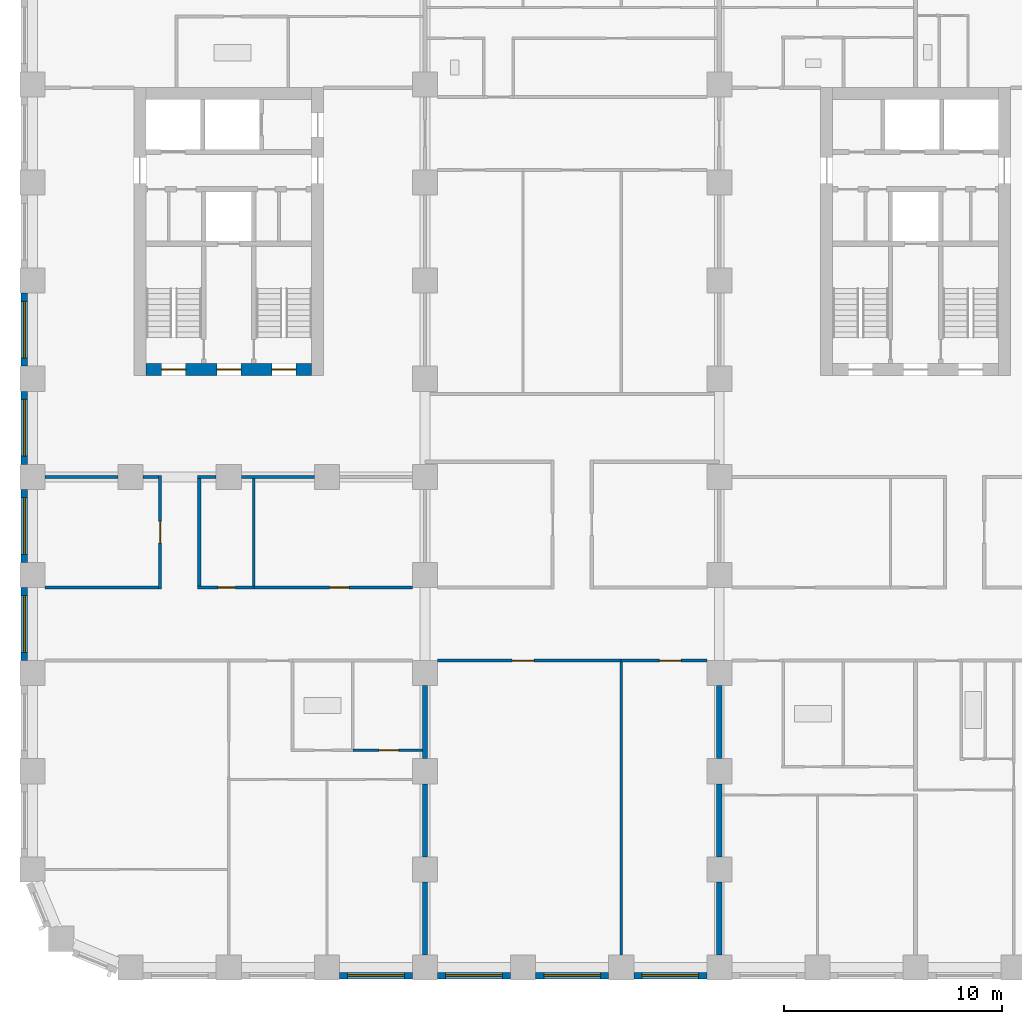
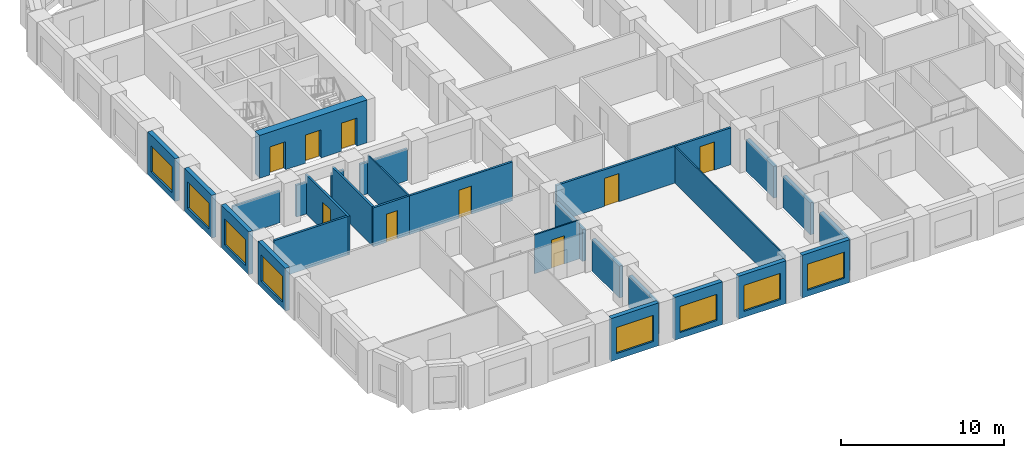
# One storey, part 3 of 13: 29 walls, 9 doors, 8 windows, 17 openings.
"""IFC4 building model written with IfcOpenShell, lengths in metres."""

import ifcopenshell
import ifcopenshell.guid

model = None  # the IFC model being written
_history = None  # IfcOwnerHistory: only IFC2X3 demands one
_inside = {}  # id of a spatial element -> (the spatial element, [elements in it])
_under = {}  # id of a project, library or spatial element -> (it, [spatial elements below it])
_declared = {}  # id of a project -> (the project, [libraries it declares])
_typed = {}  # id of a type object -> (the type object, [elements of that type])
_made_of = {}  # id of a material, layer set ... -> (it, [elements and type objects made of it])


def new_model(schema):
    """Start an empty IFC model of exactly this schema.

    Asked for "IFC4X3", IfcOpenShell would pick the latest addendum, in which some entities
    have other attributes; the version numbers below select the first issue.
    IFC2X3 requires an IfcOwnerHistory on every rooted entity: one is made here for all.
    """
    global model, _history
    if schema == "IFC4X3":
        model = ifcopenshell.file(schema_version=(4, 3, 0, 0))
    else:
        model = ifcopenshell.file(schema=schema)
    _inside.clear()
    _under.clear()
    _declared.clear()
    _typed.clear()
    _made_of.clear()
    _history = None
    if model.schema == "IFC2X3":
        org = make("IfcOrganization", Name="unknown")
        user = make(
            "IfcPersonAndOrganization",
            ThePerson=make("IfcPerson", FamilyName="unknown"),
            TheOrganization=org,
        )
        app = make(
            "IfcApplication",
            ApplicationDeveloper=org,
            Version="unknown",
            ApplicationFullName="unknown",
            ApplicationIdentifier="unknown",
        )
        _history = make(
            "IfcOwnerHistory",
            OwningUser=user,
            OwningApplication=app,
            ChangeAction="ADDED",
            CreationDate=0,
        )
    return model


def make(cls, **values):
    """One entity of the class cls with the attributes given. An attribute that is None is left unset."""
    return model.create_entity(
        cls, **{name: value for name, value in values.items() if value is not None}
    )


def rooted(cls, **values):
    """An entity with a GlobalId (a new one), such as an element, a storey or a relation."""
    return make(cls, GlobalId=ifcopenshell.guid.new(), OwnerHistory=_history, **values)


def si_unit(unit_type, name, prefix=None):
    """IfcSIUnit, for example si_unit("LENGTHUNIT", "METRE", prefix="MILLI")."""
    return make("IfcSIUnit", UnitType=unit_type, Prefix=prefix, Name=name)


def assignment(units):
    """IfcUnitAssignment: the units of a project."""
    return None if units is None else make("IfcUnitAssignment", Units=units)


def point(xyz):
    """IfcCartesianPoint."""
    return None if xyz is None else make("IfcCartesianPoint", Coordinates=xyz)


def direction(xyz):
    """IfcDirection."""
    return None if xyz is None else make("IfcDirection", DirectionRatios=xyz)


def frame(location, z_axis=None, x_axis=None):
    """IfcAxis2Placement3D, a coordinate frame: its origin and axes. An axis left out is left unset."""
    return make(
        "IfcAxis2Placement3D",
        Location=point(location),
        Axis=direction(z_axis),
        RefDirection=direction(x_axis),
    )


def frame_2d(location, x_axis=None):
    """IfcAxis2Placement2D, a coordinate frame in the plane: its origin and x axis."""
    return make(
        "IfcAxis2Placement2D", Location=point(location), RefDirection=direction(x_axis)
    )


def origin():
    """The frame at (0, 0, 0) with its axes left unset."""
    return frame((0.0, 0.0, 0.0))


def place(relative_to, where):
    """IfcLocalPlacement: puts the frame where relative to a parent placement (None: the world)."""
    return make(
        "IfcLocalPlacement", PlacementRelTo=relative_to, RelativePlacement=where
    )


def context(
    kind, dimensions, precision=None, world=None, true_north=None, identifier=None
):
    """IfcGeometricRepresentationContext, for example the 3D "Model" context."""
    return make(
        "IfcGeometricRepresentationContext",
        ContextIdentifier=identifier,
        ContextType=kind,
        CoordinateSpaceDimension=dimensions,
        Precision=precision,
        WorldCoordinateSystem=world,
        TrueNorth=true_north,
    )


def subcontext(parent, identifier, kind, view, scale=None):
    """IfcGeometricRepresentationSubContext, for example "Body" below "Model"."""
    return make(
        "IfcGeometricRepresentationSubContext",
        ContextIdentifier=identifier,
        ContextType=kind,
        ParentContext=parent,
        TargetScale=scale,
        TargetView=view,
    )


def project(units=None, contexts=None):
    """IfcProject with its units and contexts."""
    return rooted(
        "IfcProject",
        Name="project",
        RepresentationContexts=contexts,
        UnitsInContext=assignment(units),
    )


def spatial(cls, under=None, at=None, **own):
    """A site, building, storey or space (cls), placed at a placement, below another one or the project."""
    s = rooted(cls, ObjectPlacement=at, **own)
    if under is not None:
        _under.setdefault(under.id(), (under, []))[1].append(s)
    return s


def profile(cls, at=None, kind="AREA", **sizes):
    """A parametric profile (cls). Its sizes go by their IFC names, for example OverallWidth=200.0."""
    return make(cls, ProfileType=kind, Position=at, **sizes)


def rectangle(**sizes):
    """IfcRectangleProfileDef."""
    return profile("IfcRectangleProfileDef", **sizes)


def extrude(swept, where, along, depth):
    """IfcExtrudedAreaSolid: the profile swept, set in the frame where, extruded along a direction by depth."""
    return make(
        "IfcExtrudedAreaSolid",
        SweptArea=swept,
        Position=where,
        ExtrudedDirection=direction(along),
        Depth=depth,
    )


def shape(context_of_items, identifier, shape_type, items):
    """IfcShapeRepresentation: the items that make up one representation, for example the "Body"."""
    return make(
        "IfcShapeRepresentation",
        ContextOfItems=context_of_items,
        RepresentationIdentifier=identifier,
        RepresentationType=shape_type,
        Items=items,
    )


def material(Name=None, Category=None):
    """IfcMaterial."""
    return make("IfcMaterial", Name=Name, Category=Category)


def layer(
    of_material, thickness, ventilated=None, Name=None, Category=None, Priority=None
):
    """IfcMaterialLayer: one layer of a wall or slab, of a material (None: an air gap)."""
    return make(
        "IfcMaterialLayer",
        Material=of_material,
        LayerThickness=thickness,
        IsVentilated=ventilated,
        Name=Name,
        Category=Category,
        Priority=Priority,
    )


def layer_set(layers, Name=None):
    """IfcMaterialLayerSet."""
    return make("IfcMaterialLayerSet", MaterialLayers=layers, LayerSetName=Name)


def made_of(thing, what):
    """Note that an element or type object is made of a material, layer set ...; save() writes the relation."""
    if what is not None:
        _made_of.setdefault(what.id(), (what, []))[1].append(thing)
    return thing


def type_object(cls, material=None, **own):
    """A type object (cls), such as IfcWallType, which elements share."""
    return made_of(rooted(cls, **own), material)


def element(
    cls,
    number,
    at=None,
    inside=None,
    cuts=None,
    type_object=None,
    material=None,
    context=None,
    identifier="Body",
    shape_type=None,
    held_by="IfcProductDefinitionShape",
    body=None,
    shapes=None,
    **own,
):
    """One element of the class cls, such as IfcWall. Its Tag is "e" and its number.

    at: its placement. inside: the storey or other place that contains it. cuts: it is an
    opening in that element (IfcRelVoidsElement). A single representation is given by context,
    identifier, shape_type and body (its items); several are given by shapes. held_by: the class
    of the entity that holds the representations. save() writes the other relations.
    """
    e = rooted(cls, Tag="e%d" % number, ObjectPlacement=at, **own)
    if body is not None:
        shapes = [shape(context, identifier, shape_type, body)]
    if shapes is not None:
        e.Representation = make(held_by, Representations=shapes)
    if inside is not None:
        _inside.setdefault(inside.id(), (inside, []))[1].append(e)
    if cuts is not None:
        rooted(
            "IfcRelVoidsElement", RelatingBuildingElement=cuts, RelatedOpeningElement=e
        )
    if type_object is not None:
        _typed.setdefault(type_object.id(), (type_object, []))[1].append(e)
    return made_of(e, material)


def fill(opening, filler):
    """IfcRelFillsElement: the door or window that sits in an opening."""
    return rooted(
        "IfcRelFillsElement",
        RelatingOpeningElement=opening,
        RelatedBuildingElement=filler,
    )


def aggregate(whole, parts):
    """IfcRelAggregates: a whole, such as a stair, and the parts it consists of."""
    return rooted("IfcRelAggregates", RelatingObject=whole, RelatedObjects=parts)


def save(model, path):
    """Write the relations noted so far, then the file.

    IfcRelAggregates (storeys below a building ...), IfcRelContainedInSpatialStructure (elements
    in a storey), IfcRelDefinesByType, IfcRelAssociatesMaterial and IfcRelDeclares: one each for
    every whole, place, type object, material and project.
    """
    for whole, parts in _under.values():
        aggregate(whole, parts)
    for where, things in _inside.values():
        rooted(
            "IfcRelContainedInSpatialStructure",
            RelatedElements=things,
            RelatingStructure=where,
        )
    for kind, things in _typed.values():
        rooted("IfcRelDefinesByType", RelatedObjects=things, RelatingType=kind)
    for what, things in _made_of.values():
        rooted("IfcRelAssociatesMaterial", RelatedObjects=things, RelatingMaterial=what)
    for by, libraries in _declared.values():
        rooted("IfcRelDeclares", RelatingContext=by, RelatedDefinitions=libraries)
    model.write(path)


model = new_model("IFC4")

# Units and contexts
model_context = context("Model", 3, precision=1e-05, world=origin(), true_north=direction((0.0, 1.0)))
body_context = subcontext(model_context, "Body", "Model", "MODEL_VIEW")
ifc_project = project(units=[si_unit("LENGTHUNIT", "METRE"), si_unit("AREAUNIT", "SQUARE_METRE"), si_unit("VOLUMEUNIT", "CUBIC_METRE"), si_unit("PLANEANGLEUNIT", "RADIAN"), si_unit("MASSUNIT", "GRAM", prefix="KILO")], contexts=[model_context])

# Site, building, storey
site_placement = place(None, origin())
site = spatial("IfcSite", under=ifc_project, at=site_placement, CompositionType="ELEMENT")
building_placement = place(site_placement, origin())
building = spatial("IfcBuilding", under=site, at=building_placement, Name="Girih Gate Residences", CompositionType="ELEMENT")
storey_placement = place(building_placement, frame((0.0, 0.0, 96.0)))
storey = spatial("IfcBuildingStorey", under=building, at=storey_placement, Name="L26", CompositionType="ELEMENT", Elevation=96.0)

# Walls
ifc_material_1 = material(Name="Gypsum board on steel studs", Category="steel")
ifc_layer_1 = layer(ifc_material_1, 0.25)
ifc_layer_set_1 = layer_set([ifc_layer_1], Name="Acoustic separating wall 250 mm")
wall_type_1 = type_object("IfcWallType", Name="Acoustic separating wall 250 mm", PredefinedType="PARTITIONING", material=ifc_layer_set_1)
for number, where, z_axis, x_axis, name in (
    (1, (18.0, 5.074951171875, 0.0), (0.0, 0.0, 1.0), (0.0, 1.0, 0.0), "L26 partition"),
    (2, (18.0, 0.574951171875, 0.0), (0.0, 0.0, 1.0), (0.0, 1.0, 0.0), "L26 partition"),
    (3, (18.0, 9.574951171875, 0.0), (0.0, 0.0, 1.0), (0.0, 1.0, 0.0), "L26 partition"),
    (4, (31.5, 9.574951171875, 0.0), (0.0, 0.0, 1.0), (0.0, 1.0, 0.0), "L26 partition"),
    (5, (31.5, 0.574951171875, 0.0), (0.0, 0.0, 1.0), (0.0, 1.0, 0.0), "L26 partition"),
    (6, (31.5, 5.074951171875, 0.0), (0.0, 0.0, 1.0), (0.0, 1.0, 0.0), "L26 partition"),
):
    element("IfcWall", number, at=place(storey_placement, frame(where, z_axis=z_axis, x_axis=x_axis)), inside=storey, type_object=wall_type_1, Name=name, PredefinedType="PARTITIONING", context=body_context, shape_type="SweptSolid", body=[
        extrude(rectangle(XDim=3.35009765625, YDim=0.25, at=frame_2d((1.675048828125, 0.0))), origin(), (0.0, 0.0, 1.0), 2.3798828125),
    ])

# Wall, opening, door
ifc_layer_2 = layer(ifc_material_1, 0.14990234375)
ifc_layer_set_2 = layer_set([ifc_layer_2], Name="Compartment wall 150 mm")
wall_type_2 = type_object("IfcWallType", Name="Compartment wall 150 mm", PredefinedType="PARTITIONING", material=ifc_layer_set_2)
wall_1_placement = place(storey_placement, frame((27.0, 14.074951171875, 0.0), z_axis=(0.0, 0.0, 1.0), x_axis=(-1.0, 0.0, 0.0)))
wall_1 = element("IfcWall", 7, at=wall_1_placement, inside=storey, type_object=wall_type_2, Name="L26 partition", PredefinedType="PARTITIONING", context=body_context, shape_type="SweptSolid", body=[
    extrude(rectangle(XDim=8.425048828125, YDim=0.14990234375, at=frame_2d((4.21240234375, 0.0))), origin(), (0.0, 0.0, 1.0), 2.75),
])
opening_1_placement = place(wall_1_placement, frame((4.0, 0.0, 0.0)))
opening_1 = element("IfcOpeningElement", 8, at=opening_1_placement, cuts=wall_1, Name="Opening A26-046", PredefinedType="OPENING", context=body_context, shape_type="SweptSolid", body=[
    extrude(rectangle(XDim=1.0, YDim=2.10009765625, at=frame_2d((0.5, 1.050048828125))), frame((0.0, 0.0849609375, 0.0), z_axis=(0.0, -1.0, 0.0), x_axis=(1.0, 0.0, 0.0)), (0.0, 0.0, 1.0), 0.169921875),
])
ifc_material_2 = material(Name="Timber, fire-rated core", Category="wood")
door_type_1 = type_object("IfcDoorType", Name="Amenity room door 1000x2100 FD30S", OperationType="NOTDEFINED", PredefinedType="DOOR", material=ifc_material_2)
door_1_placement = place(opening_1_placement, origin())
door_1 = element("IfcDoor", 9, at=door_1_placement, inside=storey, type_object=door_type_1, Name="Door A26-046", OperationType="SINGLE_SWING_RIGHT", OverallHeight=2.10009765625, OverallWidth=1.0, PredefinedType="DOOR", context=body_context, shape_type="SweptSolid", body=[
    extrude(rectangle(XDim=1.0, YDim=2.10009765625, at=frame_2d((0.5, 1.050048828125))), frame((0.0, 0.02490234375, 0.0), z_axis=(0.0, -1.0, 0.0), x_axis=(1.0, 0.0, 0.0)), (0.0, 0.0, 1.0), 0.050048828125),
])
fill(opening_1, door_1)

wall_2_placement = place(storey_placement, frame((30.925048828125, 14.074951171875, 0.0), z_axis=(0.0, 0.0, 1.0), x_axis=(-1.0, 0.0, 0.0)))
wall_2 = element("IfcWall", 10, at=wall_2_placement, inside=storey, type_object=wall_type_2, Name="L26 partition", PredefinedType="PARTITIONING", context=body_context, shape_type="SweptSolid", body=[
    extrude(rectangle(XDim=3.925048828125, YDim=0.14990234375, at=frame_2d((1.96240234375, 0.0))), origin(), (0.0, 0.0, 1.0), 2.75),
])
opening_2_placement = place(wall_2_placement, frame((1.175048828125, 0.0, 0.0)))
opening_2 = element("IfcOpeningElement", 11, at=opening_2_placement, cuts=wall_2, Name="Opening A26-047", PredefinedType="OPENING", context=body_context, shape_type="SweptSolid", body=[
    extrude(rectangle(XDim=1.0, YDim=2.10009765625, at=frame_2d((0.5, 1.050048828125))), frame((0.0, 0.0849609375, 0.0), z_axis=(0.0, -1.0, 0.0), x_axis=(1.0, 0.0, 0.0)), (0.0, 0.0, 1.0), 0.169921875),
])
door_2_placement = place(opening_2_placement, origin())
door_2 = element("IfcDoor", 12, at=door_2_placement, inside=storey, type_object=door_type_1, Name="Door A26-047", OperationType="SINGLE_SWING_LEFT", OverallHeight=2.10009765625, OverallWidth=1.0, PredefinedType="DOOR", context=body_context, shape_type="SweptSolid", body=[
    extrude(rectangle(XDim=1.0, YDim=2.10009765625, at=frame_2d((0.5, 1.050048828125))), frame((0.0, 0.02490234375, 0.0), z_axis=(0.0, -1.0, 0.0), x_axis=(1.0, 0.0, 0.0)), (0.0, 0.0, 1.0), 0.050048828125),
])
fill(opening_2, door_2)

wall_3_placement = place(storey_placement, frame((10.14990234375, 17.425048828125, 0.0), z_axis=(0.0, 0.0, 1.0), x_axis=(1.0, 0.0, 0.0)))
wall_3 = element("IfcWall", 13, at=wall_3_placement, inside=storey, type_object=wall_type_2, Name="L26 partition", PredefinedType="PARTITIONING", context=body_context, shape_type="SweptSolid", body=[
    extrude(rectangle(XDim=7.275146484375, YDim=0.14990234375, at=frame_2d((3.6376953125, 0.0))), origin(), (0.0, 0.0, 1.0), 2.89990234375),
])
opening_3_placement = place(wall_3_placement, frame((3.47509765625, 0.0, 0.0)))
opening_3 = element("IfcOpeningElement", 14, at=opening_3_placement, cuts=wall_3, Name="Opening A26-051", PredefinedType="OPENING", context=body_context, shape_type="SweptSolid", body=[
    extrude(rectangle(XDim=0.89990234375, YDim=2.10009765625, at=frame_2d((0.449951171875, 1.050048828125))), frame((0.0, 0.0849609375, 0.0), z_axis=(0.0, -1.0, 0.0), x_axis=(1.0, 0.0, 0.0)), (0.0, 0.0, 1.0), 0.169921875),
])
ifc_material_3 = material(Name="Timber", Category="wood")
door_type_2 = type_object("IfcDoorType", Name="Service room door 900x2100", OperationType="NOTDEFINED", PredefinedType="DOOR", material=ifc_material_3)
door_3_placement = place(opening_3_placement, origin())
door_3 = element("IfcDoor", 15, at=door_3_placement, inside=storey, type_object=door_type_2, Name="Door A26-051", OperationType="SINGLE_SWING_RIGHT", OverallHeight=2.10009765625, OverallWidth=0.89990234375, PredefinedType="DOOR", context=body_context, shape_type="SweptSolid", body=[
    extrude(rectangle(XDim=0.89990234375, YDim=2.10009765625, at=frame_2d((0.449951171875, 1.050048828125))), frame((0.0, 0.02490234375, 0.0), z_axis=(0.0, -1.0, 0.0), x_axis=(1.0, 0.0, 0.0)), (0.0, 0.0, 1.0), 0.050048828125),
])
fill(opening_3, door_3)

wall_4_placement = place(storey_placement, frame((7.574951171875, 17.425048828125, 0.0), z_axis=(0.0, 0.0, 1.0), x_axis=(1.0, 0.0, 0.0)))
wall_4 = element("IfcWall", 16, at=wall_4_placement, inside=storey, type_object=wall_type_2, Name="L26 partition", PredefinedType="PARTITIONING", context=body_context, shape_type="SweptSolid", body=[
    extrude(rectangle(XDim=2.574951171875, YDim=0.14990234375, at=frame_2d((1.28759765625, 0.0))), origin(), (0.0, 0.0, 1.0), 2.89990234375),
])
opening_4_placement = place(wall_4_placement, frame((0.925048828125, 0.0, 0.0)))
opening_4 = element("IfcOpeningElement", 17, at=opening_4_placement, cuts=wall_4, Name="Opening A26-053", PredefinedType="OPENING", context=body_context, shape_type="SweptSolid", body=[
    extrude(rectangle(XDim=0.800048828125, YDim=2.10009765625, at=frame_2d((0.39990234375, 1.050048828125))), frame((0.0, 0.0849609375, 0.0), z_axis=(0.0, -1.0, 0.0), x_axis=(1.0, 0.0, 0.0)), (0.0, 0.0, 1.0), 0.169921875),
])
door_type_3 = type_object("IfcDoorType", Name="Bathroom door 800x2100", OperationType="NOTDEFINED", PredefinedType="DOOR", material=ifc_material_3)
door_4_placement = place(opening_4_placement, origin())
door_4 = element("IfcDoor", 18, at=door_4_placement, inside=storey, type_object=door_type_3, Name="Door A26-053", OperationType="SINGLE_SWING_RIGHT", OverallHeight=2.10009765625, OverallWidth=0.800048828125, PredefinedType="DOOR", context=body_context, shape_type="SweptSolid", body=[
    extrude(rectangle(XDim=0.800048828125, YDim=2.10009765625, at=frame_2d((0.39990234375, 1.050048828125))), frame((0.0, 0.02490234375, 0.0), z_axis=(0.0, -1.0, 0.0), x_axis=(1.0, 0.0, 0.0)), (0.0, 0.0, 1.0), 0.050048828125),
])
fill(opening_4, door_4)

# Walls
wall_5_placement = place(storey_placement, frame((0.574951171875, 17.425048828125, 0.0), z_axis=(0.0, 0.0, 1.0), x_axis=(1.0, 0.0, 0.0)))
element("IfcWall", 19, at=wall_5_placement, inside=storey, type_object=wall_type_2, Name="L26 partition", PredefinedType="PARTITIONING", context=body_context, shape_type="SweptSolid", body=[
    extrude(rectangle(XDim=5.199951171875, YDim=0.14990234375, at=frame_2d((2.60009765625, 0.0))), origin(), (0.0, 0.0, 1.0), 2.89990234375),
])
wall_6_placement = place(storey_placement, frame((9.574951171875, 22.5, 0.0), z_axis=(0.0, 0.0, 1.0), x_axis=(1.0, 0.0, 0.0)))
element("IfcWall", 20, at=wall_6_placement, inside=storey, type_object=wall_type_2, Name="L26 partition", PredefinedType="PARTITIONING", context=body_context, shape_type="SweptSolid", body=[
    extrude(rectangle(XDim=3.35009765625, YDim=0.14990234375, at=frame_2d((1.675048828125, 0.0))), origin(), (0.0, 0.0, 1.0), 2.3798828125),
])
wall_7_placement = place(storey_placement, frame((7.574951171875, 22.5, 0.0), z_axis=(0.0, 0.0, 1.0), x_axis=(1.0, 0.0, 0.0)))
element("IfcWall", 21, at=wall_7_placement, inside=storey, type_object=wall_type_2, Name="L26 partition", PredefinedType="PARTITIONING", context=body_context, shape_type="SweptSolid", body=[
    extrude(rectangle(XDim=0.85009765625, YDim=0.14990234375, at=frame_2d((0.425048828125, 0.0))), origin(), (0.0, 0.0, 1.0), 2.3798828125),
])
wall_8_placement = place(storey_placement, frame((5.074951171875, 22.5, 0.0), z_axis=(0.0, 0.0, 1.0), x_axis=(1.0, 0.0, 0.0)))
element("IfcWall", 22, at=wall_8_placement, inside=storey, type_object=wall_type_2, Name="L26 partition", PredefinedType="PARTITIONING", context=body_context, shape_type="SweptSolid", body=[
    extrude(rectangle(XDim=0.699951171875, YDim=0.14990234375, at=frame_2d((0.35009765625, 0.0))), origin(), (0.0, 0.0, 1.0), 2.3798828125),
])
wall_9_placement = place(storey_placement, frame((0.574951171875, 22.5, 0.0), z_axis=(0.0, 0.0, 1.0), x_axis=(1.0, 0.0, 0.0)))
element("IfcWall", 23, at=wall_9_placement, inside=storey, type_object=wall_type_2, Name="L26 partition", PredefinedType="PARTITIONING", context=body_context, shape_type="SweptSolid", body=[
    extrude(rectangle(XDim=3.35009765625, YDim=0.14990234375, at=frame_2d((1.675048828125, 0.0))), origin(), (0.0, 0.0, 1.0), 2.3798828125),
])
wall_10_placement = place(storey_placement, frame((7.64990234375, 17.5, 0.0), z_axis=(0.0, 0.0, 1.0), x_axis=(0.0, 1.0, 0.0)))
element("IfcWall", 24, at=wall_10_placement, inside=storey, type_object=wall_type_2, Name="L26 partition", PredefinedType="PARTITIONING", context=body_context, shape_type="SweptSolid", body=[
    extrude(rectangle(XDim=4.925048828125, YDim=0.14990234375, at=frame_2d((2.46240234375, 0.0))), origin(), (0.0, 0.0, 1.0), 2.89990234375),
])

# Wall, opening, door
wall_11_placement = place(storey_placement, frame((5.85009765625, 17.35009765625, 0.0), z_axis=(0.0, 0.0, 1.0), x_axis=(0.0, 1.0, 0.0)))
wall_11 = element("IfcWall", 25, at=wall_11_placement, inside=storey, type_object=wall_type_2, Name="L26 partition", PredefinedType="PARTITIONING", context=body_context, shape_type="SweptSolid", body=[
    extrude(rectangle(XDim=5.224853515625, YDim=0.14990234375, at=frame_2d((2.6123046875, 0.0))), origin(), (0.0, 0.0, 1.0), 2.89990234375),
])
opening_5_placement = place(wall_11_placement, frame((2.112548828125, 0.0, 0.0)))
opening_5 = element("IfcOpeningElement", 26, at=opening_5_placement, cuts=wall_11, Name="Opening A26-055", PredefinedType="OPENING", context=body_context, shape_type="SweptSolid", body=[
    extrude(rectangle(XDim=1.0, YDim=2.10009765625, at=frame_2d((0.5, 1.050048828125))), frame((0.0, 0.0849609375, 0.0), z_axis=(0.0, -1.0, 0.0), x_axis=(1.0, 0.0, 0.0)), (0.0, 0.0, 1.0), 0.169921875),
])
door_5_placement = place(opening_5_placement, origin())
door_5 = element("IfcDoor", 27, at=door_5_placement, inside=storey, type_object=door_type_1, Name="Door A26-055", OperationType="SINGLE_SWING_LEFT", OverallHeight=2.10009765625, OverallWidth=1.0, PredefinedType="DOOR", context=body_context, shape_type="SweptSolid", body=[
    extrude(rectangle(XDim=1.0, YDim=2.10009765625, at=frame_2d((0.5, 1.050048828125))), frame((0.0, 0.02490234375, 0.0), z_axis=(0.0, -1.0, 0.0), x_axis=(1.0, 0.0, 0.0)), (0.0, 0.0, 1.0), 0.050048828125),
])
fill(opening_5, door_5)

# Wall, openings, doors
ifc_material_4 = material(Name="Concrete C60/75", Category="concrete")
ifc_layer_3 = layer(ifc_material_4, 0.550048828125)
ifc_layer_set_3 = layer_set([ifc_layer_3], Name="Core wall RC 550 Concrete C60/75")
wall_type_3 = type_object("IfcWallType", Name="Core wall RC 550 Concrete C60/75", PredefinedType="SOLIDWALL", material=ifc_layer_set_3)
wall_12_placement = place(storey_placement, frame((5.199951171875, 27.425048828125, 0.0), z_axis=(0.0, 0.0, 1.0), x_axis=(1.0, 0.0, 0.0)))
wall_12 = element("IfcWall", 28, at=wall_12_placement, inside=storey, type_object=wall_type_3, Name="Core wall W-S L26", PredefinedType="SOLIDWALL", context=body_context, shape_type="SweptSolid", body=[
    extrude(rectangle(XDim=7.60009765625, YDim=0.550048828125, at=frame_2d((3.800048828125, 0.0))), origin(), (0.0, 0.0, 1.0), 3.199951171875),
])
opening_6_placement = place(wall_12_placement, frame((0.72509765625, 0.0, 0.0)))
opening_6 = element("IfcOpeningElement", 29, at=opening_6_placement, cuts=wall_12, Name="Opening D-L26-W-010", PredefinedType="OPENING", context=body_context, shape_type="SweptSolid", body=[
    extrude(rectangle(XDim=1.10009765625, YDim=2.10009765625, at=frame_2d((0.550048828125, 1.050048828125))), frame((0.0, 0.284912109375, 0.0), z_axis=(0.0, -1.0, 0.0), x_axis=(1.0, 0.0, 0.0)), (0.0, 0.0, 1.0), 0.570068359375),
])
opening_7_placement = place(wall_12_placement, frame((3.25, 0.0, 0.0)))
opening_7 = element("IfcOpeningElement", 30, at=opening_7_placement, cuts=wall_12, Name="Opening D-L26-W-011", PredefinedType="OPENING", context=body_context, shape_type="SweptSolid", body=[
    extrude(rectangle(XDim=1.10009765625, YDim=2.10009765625, at=frame_2d((0.550048828125, 1.050048828125))), frame((0.0, 0.284912109375, 0.0), z_axis=(0.0, -1.0, 0.0), x_axis=(1.0, 0.0, 0.0)), (0.0, 0.0, 1.0), 0.570068359375),
])
opening_8_placement = place(wall_12_placement, frame((5.77490234375, 0.0, 0.0)))
opening_8 = element("IfcOpeningElement", 31, at=opening_8_placement, cuts=wall_12, Name="Opening D-L26-W-012", PredefinedType="OPENING", context=body_context, shape_type="SweptSolid", body=[
    extrude(rectangle(XDim=1.10009765625, YDim=2.10009765625, at=frame_2d((0.550048828125, 1.050048828125))), frame((0.0, 0.284912109375, 0.0), z_axis=(0.0, -1.0, 0.0), x_axis=(1.0, 0.0, 0.0)), (0.0, 0.0, 1.0), 0.570068359375),
])
ifc_material_5 = material(Name="Painted steel, fire-resisting", Category="steel")
door_type_4 = type_object("IfcDoorType", Name="Fire door 1100x2100", OperationType="SINGLE_SWING_LEFT", PredefinedType="DOOR", material=ifc_material_5)
door_6_placement = place(opening_6_placement, origin())
door_6 = element("IfcDoor", 32, at=door_6_placement, inside=storey, type_object=door_type_4, Name="L26 W core door sta-out", OperationType="SINGLE_SWING_LEFT", OverallHeight=2.10009765625, OverallWidth=1.10009765625, PredefinedType="DOOR", context=body_context, shape_type="SweptSolid", body=[
    extrude(rectangle(XDim=1.10009765625, YDim=2.10009765625, at=frame_2d((0.550048828125, 1.050048828125))), frame((0.0, 0.02490234375, 0.0), z_axis=(0.0, -1.0, 0.0), x_axis=(1.0, 0.0, 0.0)), (0.0, 0.0, 1.0), 0.050048828125),
])
fill(opening_6, door_6)
door_7_placement = place(opening_7_placement, origin())
door_7 = element("IfcDoor", 33, at=door_7_placement, inside=storey, type_object=door_type_4, Name="L26 W core door ffl-out", OperationType="SINGLE_SWING_LEFT", OverallHeight=2.10009765625, OverallWidth=1.10009765625, PredefinedType="DOOR", context=body_context, shape_type="SweptSolid", body=[
    extrude(rectangle(XDim=1.10009765625, YDim=2.10009765625, at=frame_2d((0.550048828125, 1.050048828125))), frame((0.0, 0.02490234375, 0.0), z_axis=(0.0, -1.0, 0.0), x_axis=(1.0, 0.0, 0.0)), (0.0, 0.0, 1.0), 0.050048828125),
])
fill(opening_7, door_7)
door_8_placement = place(opening_8_placement, origin())
door_8 = element("IfcDoor", 34, at=door_8_placement, inside=storey, type_object=door_type_4, Name="L26 W core door stb-out", OperationType="SINGLE_SWING_LEFT", OverallHeight=2.10009765625, OverallWidth=1.10009765625, PredefinedType="DOOR", context=body_context, shape_type="SweptSolid", body=[
    extrude(rectangle(XDim=1.10009765625, YDim=2.10009765625, at=frame_2d((0.550048828125, 1.050048828125))), frame((0.0, 0.02490234375, 0.0), z_axis=(0.0, -1.0, 0.0), x_axis=(1.0, 0.0, 0.0)), (0.0, 0.0, 1.0), 0.050048828125),
])
fill(opening_8, door_8)

# Wall, opening, door
ifc_layer_4 = layer(ifc_material_1, 0.10009765625)
ifc_layer_set_4 = layer_set([ifc_layer_4], Name="Partition 100 mm")
wall_type_4 = type_object("IfcWallType", Name="Partition 100 mm", PredefinedType="PARTITIONING", material=ifc_layer_set_4)
wall_13_placement = place(storey_placement, frame((14.6904296875, 9.965087890625, 0.0), z_axis=(0.0, 0.0, 1.0), x_axis=(1.0, 0.0, 0.0)))
wall_13 = element("IfcWall", 35, at=wall_13_placement, inside=storey, type_object=wall_type_4, Name="L26 partition", PredefinedType="PARTITIONING", context=body_context, shape_type="SweptSolid", body=[
    extrude(rectangle(XDim=3.1845703125, YDim=0.10009765625, at=frame_2d((1.59228515625, 0.0))), origin(), (0.0, 0.0, 1.0), 2.89990234375),
])
opening_9_placement = place(wall_13_placement, frame((1.20458984375, 0.0, 0.0)))
opening_9 = element("IfcOpeningElement", 36, at=opening_9_placement, cuts=wall_13, Name="Opening A26-006", PredefinedType="OPENING", context=body_context, shape_type="SweptSolid", body=[
    extrude(rectangle(XDim=0.89990234375, YDim=2.10009765625, at=frame_2d((0.449951171875, 1.050048828125))), frame((0.0, 0.06005859375, 0.0), z_axis=(0.0, -1.0, 0.0), x_axis=(1.0, 0.0, 0.0)), (0.0, 0.0, 1.0), 0.1201171875),
])
door_type_5 = type_object("IfcDoorType", Name="Kitchen door 900x2100", OperationType="NOTDEFINED", PredefinedType="DOOR", material=ifc_material_3)
door_9_placement = place(opening_9_placement, origin())
door_9 = element("IfcDoor", 37, at=door_9_placement, inside=storey, type_object=door_type_5, Name="Door A26-006", OperationType="SINGLE_SWING_RIGHT", OverallHeight=2.10009765625, OverallWidth=0.89990234375, PredefinedType="DOOR", context=body_context, shape_type="SweptSolid", body=[
    extrude(rectangle(XDim=0.89990234375, YDim=2.10009765625, at=frame_2d((0.449951171875, 1.050048828125))), frame((0.0, 0.02490234375, 0.0), z_axis=(0.0, -1.0, 0.0), x_axis=(1.0, 0.0, 0.0)), (0.0, 0.0, 1.0), 0.050048828125),
])
fill(opening_9, door_9)

# Walls
wall_14_placement = place(storey_placement, frame((27.0, 0.574951171875, 0.0), z_axis=(0.0, 0.0, 1.0), x_axis=(0.0, 1.0, 0.0)))
element("IfcWall", 38, at=wall_14_placement, inside=storey, type_object=wall_type_4, Name="L26 partition", PredefinedType="PARTITIONING", context=body_context, shape_type="SweptSolid", body=[
    extrude(rectangle(XDim=13.425048828125, YDim=0.10009765625, at=frame_2d((6.71240234375, 0.0))), origin(), (0.0, 0.0, 1.0), 2.75),
])
wall_15_placement = place(storey_placement, frame((10.14990234375, 17.5, 0.0), z_axis=(0.0, 0.0, 1.0), x_axis=(0.0, 1.0, 0.0)))
element("IfcWall", 39, at=wall_15_placement, inside=storey, type_object=wall_type_4, Name="L26 partition", PredefinedType="PARTITIONING", context=body_context, shape_type="SweptSolid", body=[
    extrude(rectangle(XDim=4.925048828125, YDim=0.10009765625, at=frame_2d((2.46240234375, 0.0))), origin(), (0.0, 0.0, 1.0), 2.89990234375),
])

# Wall, opening, window
ifc_material_6 = material(Name="Precast concrete C50/60", Category="concrete")
ifc_layer_5 = layer(ifc_material_6, 0.080078125, Name="Outer leaf")
ifc_material_7 = material(Name="Rigid PIR insulation")
ifc_layer_6 = layer(ifc_material_7, 0.14990234375, Name="Insulation")
ifc_material_8 = material(Name="Precast concrete C40/50", Category="concrete")
ifc_layer_7 = layer(ifc_material_8, 0.070068359375, Name="Inner leaf")
ifc_layer_set_5 = layer_set([ifc_layer_5, ifc_layer_6, ifc_layer_7], Name="Precast concrete C50/60 external wall 300")
wall_type_5 = type_object("IfcWallType", Name="Precast concrete C50/60 external wall 300", PredefinedType="SOLIDWALL", material=ifc_layer_set_5)
wall_16_placement = place(storey_placement, frame((17.425048828125, -0.375, 0.0), z_axis=(0.0, 0.0, 1.0), x_axis=(-1.0, 0.0, 0.0)))
wall_16 = element("IfcWall", 40, at=wall_16_placement, inside=storey, type_object=wall_type_5, Name="External wall S0045_0000.2", PredefinedType="SOLIDWALL", context=body_context, shape_type="SweptSolid", body=[
    extrude(rectangle(XDim=3.35009765625, YDim=0.300048828125, at=frame_2d((1.675048828125, 0.0))), origin(), (0.0, 0.0, 1.0), 3.199951171875),
])
opening_10_placement = place(wall_16_placement, frame((0.375, 0.0, 0.449951171875)))
opening_10 = element("IfcOpeningElement", 41, at=opening_10_placement, cuts=wall_16, Name="Opening W-1A", PredefinedType="OPENING", context=body_context, shape_type="SweptSolid", body=[
    extrude(rectangle(XDim=2.60009765625, YDim=1.949951171875, at=frame_2d((1.300048828125, 0.97509765625))), frame((0.0, 0.159912109375, 0.0), z_axis=(0.0, -1.0, 0.0), x_axis=(1.0, 0.0, 0.0)), (0.0, 0.0, 1.0), 0.320068359375),
])
ifc_material_9 = material(Name="Double glazing in aluminium frame", Category="aluminium")
window_type = type_object("IfcWindowType", Name="Window W-1A 2600x1950", PartitioningType="SINGLE_PANEL", PredefinedType="WINDOW", material=ifc_material_9)
window_1_placement = place(opening_10_placement, origin())
window_1 = element("IfcWindow", 42, at=window_1_placement, inside=storey, type_object=window_type, Name="Window W-1A S0045_0000.2", OverallHeight=1.949951171875, OverallWidth=2.60009765625, PartitioningType="SINGLE_PANEL", PredefinedType="WINDOW", context=body_context, shape_type="SweptSolid", body=[
    extrude(rectangle(XDim=2.60009765625, YDim=1.949951171875, at=frame_2d((1.300048828125, 0.97509765625))), frame((0.0, 0.030029296875, 0.0), z_axis=(0.0, -1.0, 0.0), x_axis=(1.0, 0.0, 0.0)), (0.0, 0.0, 1.0), 0.06005859375),
])
fill(opening_10, window_1)

wall_17_placement = place(storey_placement, frame((21.925048828125, -0.375, 0.0), z_axis=(0.0, 0.0, 1.0), x_axis=(-1.0, 0.0, 0.0)))
wall_17 = element("IfcWall", 43, at=wall_17_placement, inside=storey, type_object=wall_type_5, Name="External wall S0045_0000.3", PredefinedType="SOLIDWALL", context=body_context, shape_type="SweptSolid", body=[
    extrude(rectangle(XDim=3.35009765625, YDim=0.300048828125, at=frame_2d((1.675048828125, 0.0))), origin(), (0.0, 0.0, 1.0), 3.199951171875),
])
opening_11_placement = place(wall_17_placement, frame((0.375, 0.0, 0.449951171875)))
opening_11 = element("IfcOpeningElement", 44, at=opening_11_placement, cuts=wall_17, Name="Opening W-1A", PredefinedType="OPENING", context=body_context, shape_type="SweptSolid", body=[
    extrude(rectangle(XDim=2.60009765625, YDim=1.949951171875, at=frame_2d((1.300048828125, 0.97509765625))), frame((0.0, 0.159912109375, 0.0), z_axis=(0.0, -1.0, 0.0), x_axis=(1.0, 0.0, 0.0)), (0.0, 0.0, 1.0), 0.320068359375),
])
window_2_placement = place(opening_11_placement, origin())
window_2 = element("IfcWindow", 45, at=window_2_placement, inside=storey, type_object=window_type, Name="Window W-1A S0045_0000.3", OverallHeight=1.949951171875, OverallWidth=2.60009765625, PartitioningType="SINGLE_PANEL", PredefinedType="WINDOW", context=body_context, shape_type="SweptSolid", body=[
    extrude(rectangle(XDim=2.60009765625, YDim=1.949951171875, at=frame_2d((1.300048828125, 0.97509765625))), frame((0.0, 0.030029296875, 0.0), z_axis=(0.0, -1.0, 0.0), x_axis=(1.0, 0.0, 0.0)), (0.0, 0.0, 1.0), 0.06005859375),
])
fill(opening_11, window_2)

wall_18_placement = place(storey_placement, frame((26.425048828125, -0.375, 0.0), z_axis=(0.0, 0.0, 1.0), x_axis=(-1.0, 0.0, 0.0)))
wall_18 = element("IfcWall", 46, at=wall_18_placement, inside=storey, type_object=wall_type_5, Name="External wall S0045_0000.4", PredefinedType="SOLIDWALL", context=body_context, shape_type="SweptSolid", body=[
    extrude(rectangle(XDim=3.35009765625, YDim=0.300048828125, at=frame_2d((1.675048828125, 0.0))), origin(), (0.0, 0.0, 1.0), 3.199951171875),
])
opening_12_placement = place(wall_18_placement, frame((0.375, 0.0, 0.449951171875)))
opening_12 = element("IfcOpeningElement", 47, at=opening_12_placement, cuts=wall_18, Name="Opening W-1A", PredefinedType="OPENING", context=body_context, shape_type="SweptSolid", body=[
    extrude(rectangle(XDim=2.60009765625, YDim=1.949951171875, at=frame_2d((1.300048828125, 0.97509765625))), frame((0.0, 0.159912109375, 0.0), z_axis=(0.0, -1.0, 0.0), x_axis=(1.0, 0.0, 0.0)), (0.0, 0.0, 1.0), 0.320068359375),
])
window_3_placement = place(opening_12_placement, origin())
window_3 = element("IfcWindow", 48, at=window_3_placement, inside=storey, type_object=window_type, Name="Window W-1A S0045_0000.4", OverallHeight=1.949951171875, OverallWidth=2.60009765625, PartitioningType="SINGLE_PANEL", PredefinedType="WINDOW", context=body_context, shape_type="SweptSolid", body=[
    extrude(rectangle(XDim=2.60009765625, YDim=1.949951171875, at=frame_2d((1.300048828125, 0.97509765625))), frame((0.0, 0.030029296875, 0.0), z_axis=(0.0, -1.0, 0.0), x_axis=(1.0, 0.0, 0.0)), (0.0, 0.0, 1.0), 0.06005859375),
])
fill(opening_12, window_3)

wall_19_placement = place(storey_placement, frame((30.925048828125, -0.375, 0.0), z_axis=(0.0, 0.0, 1.0), x_axis=(-1.0, 0.0, 0.0)))
wall_19 = element("IfcWall", 49, at=wall_19_placement, inside=storey, type_object=wall_type_5, Name="External wall S0045_0000.5", PredefinedType="SOLIDWALL", context=body_context, shape_type="SweptSolid", body=[
    extrude(rectangle(XDim=3.35009765625, YDim=0.300048828125, at=frame_2d((1.675048828125, 0.0))), origin(), (0.0, 0.0, 1.0), 3.199951171875),
])
opening_13_placement = place(wall_19_placement, frame((0.375, 0.0, 0.449951171875)))
opening_13 = element("IfcOpeningElement", 50, at=opening_13_placement, cuts=wall_19, Name="Opening W-1A", PredefinedType="OPENING", context=body_context, shape_type="SweptSolid", body=[
    extrude(rectangle(XDim=2.60009765625, YDim=1.949951171875, at=frame_2d((1.300048828125, 0.97509765625))), frame((0.0, 0.159912109375, 0.0), z_axis=(0.0, -1.0, 0.0), x_axis=(1.0, 0.0, 0.0)), (0.0, 0.0, 1.0), 0.320068359375),
])
window_4_placement = place(opening_13_placement, origin())
window_4 = element("IfcWindow", 51, at=window_4_placement, inside=storey, type_object=window_type, Name="Window W-1A S0045_0000.5", OverallHeight=1.949951171875, OverallWidth=2.60009765625, PartitioningType="SINGLE_PANEL", PredefinedType="WINDOW", context=body_context, shape_type="SweptSolid", body=[
    extrude(rectangle(XDim=2.60009765625, YDim=1.949951171875, at=frame_2d((1.300048828125, 0.97509765625))), frame((0.0, 0.030029296875, 0.0), z_axis=(0.0, -1.0, 0.0), x_axis=(1.0, 0.0, 0.0)), (0.0, 0.0, 1.0), 0.06005859375),
])
fill(opening_13, window_4)

wall_20_placement = place(storey_placement, frame((-0.375, 27.574951171875, 0.0), z_axis=(0.0, 0.0, 1.0), x_axis=(0.0, 1.0, 0.0)))
wall_20 = element("IfcWall", 52, at=wall_20_placement, inside=storey, type_object=wall_type_5, Name="External wall W0000_0450.3", PredefinedType="SOLIDWALL", context=body_context, shape_type="SweptSolid", body=[
    extrude(rectangle(XDim=3.35009765625, YDim=0.300048828125, at=frame_2d((1.675048828125, 0.0))), origin(), (0.0, 0.0, 1.0), 3.199951171875),
])
opening_14_placement = place(wall_20_placement, frame((0.375, 0.0, 0.449951171875)))
opening_14 = element("IfcOpeningElement", 53, at=opening_14_placement, cuts=wall_20, Name="Opening W-1A", PredefinedType="OPENING", context=body_context, shape_type="SweptSolid", body=[
    extrude(rectangle(XDim=2.60009765625, YDim=1.949951171875, at=frame_2d((1.300048828125, 0.97509765625))), frame((0.0, 0.159912109375, 0.0), z_axis=(0.0, -1.0, 0.0), x_axis=(1.0, 0.0, 0.0)), (0.0, 0.0, 1.0), 0.320068359375),
])
window_5_placement = place(opening_14_placement, origin())
window_5 = element("IfcWindow", 54, at=window_5_placement, inside=storey, type_object=window_type, Name="Window W-1A W0000_0450.3", OverallHeight=1.949951171875, OverallWidth=2.60009765625, PartitioningType="SINGLE_PANEL", PredefinedType="WINDOW", context=body_context, shape_type="SweptSolid", body=[
    extrude(rectangle(XDim=2.60009765625, YDim=1.949951171875, at=frame_2d((1.300048828125, 0.97509765625))), frame((0.0, 0.030029296875, 0.0), z_axis=(0.0, -1.0, 0.0), x_axis=(1.0, 0.0, 0.0)), (0.0, 0.0, 1.0), 0.06005859375),
])
fill(opening_14, window_5)

wall_21_placement = place(storey_placement, frame((-0.375, 23.074951171875, 0.0), z_axis=(0.0, 0.0, 1.0), x_axis=(0.0, 1.0, 0.0)))
wall_21 = element("IfcWall", 55, at=wall_21_placement, inside=storey, type_object=wall_type_5, Name="External wall W0000_0450.4", PredefinedType="SOLIDWALL", context=body_context, shape_type="SweptSolid", body=[
    extrude(rectangle(XDim=3.35009765625, YDim=0.300048828125, at=frame_2d((1.675048828125, 0.0))), origin(), (0.0, 0.0, 1.0), 3.199951171875),
])
opening_15_placement = place(wall_21_placement, frame((0.375, 0.0, 0.449951171875)))
opening_15 = element("IfcOpeningElement", 56, at=opening_15_placement, cuts=wall_21, Name="Opening W-1A", PredefinedType="OPENING", context=body_context, shape_type="SweptSolid", body=[
    extrude(rectangle(XDim=2.60009765625, YDim=1.949951171875, at=frame_2d((1.300048828125, 0.97509765625))), frame((0.0, 0.159912109375, 0.0), z_axis=(0.0, -1.0, 0.0), x_axis=(1.0, 0.0, 0.0)), (0.0, 0.0, 1.0), 0.320068359375),
])
window_6_placement = place(opening_15_placement, origin())
window_6 = element("IfcWindow", 57, at=window_6_placement, inside=storey, type_object=window_type, Name="Window W-1A W0000_0450.4", OverallHeight=1.949951171875, OverallWidth=2.60009765625, PartitioningType="SINGLE_PANEL", PredefinedType="WINDOW", context=body_context, shape_type="SweptSolid", body=[
    extrude(rectangle(XDim=2.60009765625, YDim=1.949951171875, at=frame_2d((1.300048828125, 0.97509765625))), frame((0.0, 0.030029296875, 0.0), z_axis=(0.0, -1.0, 0.0), x_axis=(1.0, 0.0, 0.0)), (0.0, 0.0, 1.0), 0.06005859375),
])
fill(opening_15, window_6)

wall_22_placement = place(storey_placement, frame((-0.375, 18.574951171875, 0.0), z_axis=(0.0, 0.0, 1.0), x_axis=(0.0, 1.0, 0.0)))
wall_22 = element("IfcWall", 58, at=wall_22_placement, inside=storey, type_object=wall_type_5, Name="External wall W0000_0450.5", PredefinedType="SOLIDWALL", context=body_context, shape_type="SweptSolid", body=[
    extrude(rectangle(XDim=3.35009765625, YDim=0.300048828125, at=frame_2d((1.675048828125, 0.0))), origin(), (0.0, 0.0, 1.0), 3.199951171875),
])
opening_16_placement = place(wall_22_placement, frame((0.375, 0.0, 0.449951171875)))
opening_16 = element("IfcOpeningElement", 59, at=opening_16_placement, cuts=wall_22, Name="Opening W-1A", PredefinedType="OPENING", context=body_context, shape_type="SweptSolid", body=[
    extrude(rectangle(XDim=2.60009765625, YDim=1.949951171875, at=frame_2d((1.300048828125, 0.97509765625))), frame((0.0, 0.159912109375, 0.0), z_axis=(0.0, -1.0, 0.0), x_axis=(1.0, 0.0, 0.0)), (0.0, 0.0, 1.0), 0.320068359375),
])
window_7_placement = place(opening_16_placement, origin())
window_7 = element("IfcWindow", 60, at=window_7_placement, inside=storey, type_object=window_type, Name="Window W-1A W0000_0450.5", OverallHeight=1.949951171875, OverallWidth=2.60009765625, PartitioningType="SINGLE_PANEL", PredefinedType="WINDOW", context=body_context, shape_type="SweptSolid", body=[
    extrude(rectangle(XDim=2.60009765625, YDim=1.949951171875, at=frame_2d((1.300048828125, 0.97509765625))), frame((0.0, 0.030029296875, 0.0), z_axis=(0.0, -1.0, 0.0), x_axis=(1.0, 0.0, 0.0)), (0.0, 0.0, 1.0), 0.06005859375),
])
fill(opening_16, window_7)

wall_23_placement = place(storey_placement, frame((-0.375, 14.074951171875, 0.0), z_axis=(0.0, 0.0, 1.0), x_axis=(0.0, 1.0, 0.0)))
wall_23 = element("IfcWall", 61, at=wall_23_placement, inside=storey, type_object=wall_type_5, Name="External wall W0000_0450.6", PredefinedType="SOLIDWALL", context=body_context, shape_type="SweptSolid", body=[
    extrude(rectangle(XDim=3.35009765625, YDim=0.300048828125, at=frame_2d((1.675048828125, 0.0))), origin(), (0.0, 0.0, 1.0), 3.199951171875),
])
opening_17_placement = place(wall_23_placement, frame((0.375, 0.0, 0.449951171875)))
opening_17 = element("IfcOpeningElement", 62, at=opening_17_placement, cuts=wall_23, Name="Opening W-1A", PredefinedType="OPENING", context=body_context, shape_type="SweptSolid", body=[
    extrude(rectangle(XDim=2.60009765625, YDim=1.949951171875, at=frame_2d((1.300048828125, 0.97509765625))), frame((0.0, 0.159912109375, 0.0), z_axis=(0.0, -1.0, 0.0), x_axis=(1.0, 0.0, 0.0)), (0.0, 0.0, 1.0), 0.320068359375),
])
window_8_placement = place(opening_17_placement, origin())
window_8 = element("IfcWindow", 63, at=window_8_placement, inside=storey, type_object=window_type, Name="Window W-1A W0000_0450.6", OverallHeight=1.949951171875, OverallWidth=2.60009765625, PartitioningType="SINGLE_PANEL", PredefinedType="WINDOW", context=body_context, shape_type="SweptSolid", body=[
    extrude(rectangle(XDim=2.60009765625, YDim=1.949951171875, at=frame_2d((1.300048828125, 0.97509765625))), frame((0.0, 0.030029296875, 0.0), z_axis=(0.0, -1.0, 0.0), x_axis=(1.0, 0.0, 0.0)), (0.0, 0.0, 1.0), 0.06005859375),
])
fill(opening_17, window_8)

save(model, "model.ifc")
